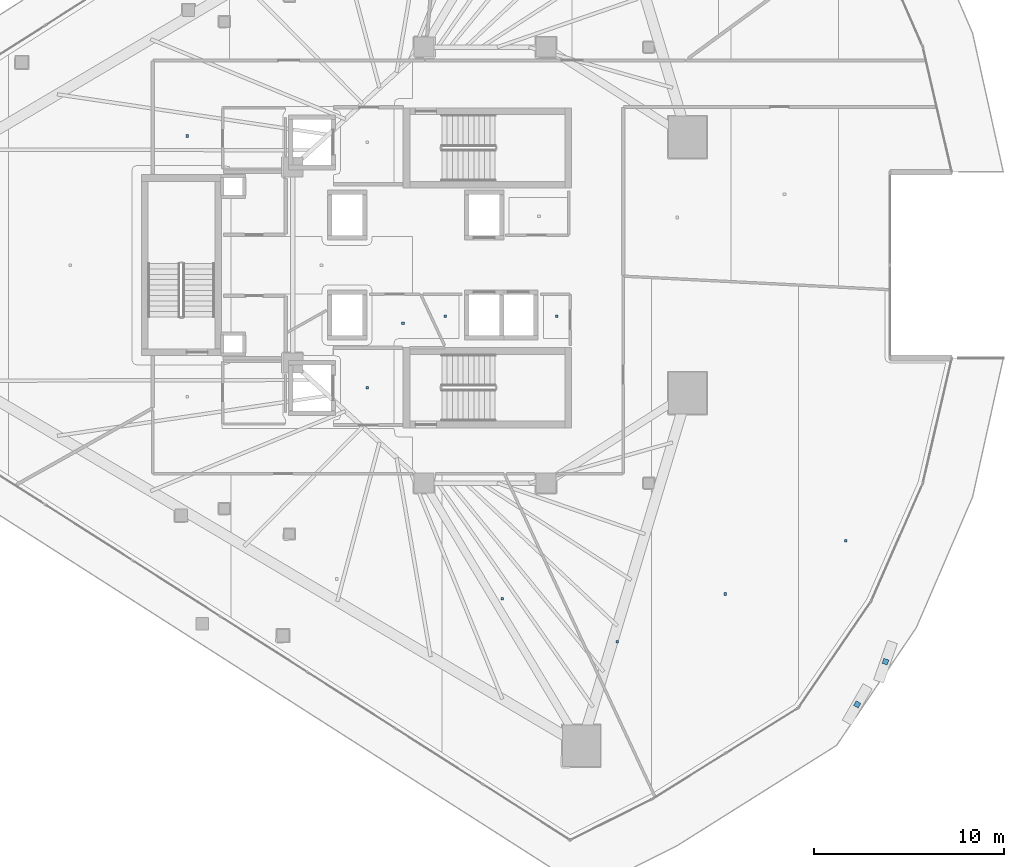
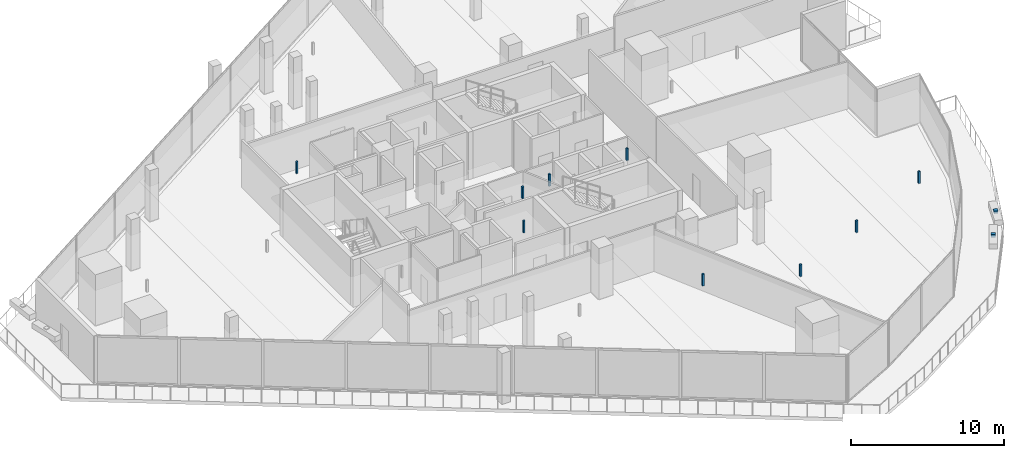
# One storey, part 29 of 38: 11 discrete accessories.
"""IFC4 building model written with IfcOpenShell, lengths in metres."""

from ifc_helpers import new_model, si_unit, direction, frame, origin, origin_2d, place, context, subcontext, project, spatial, rectangle, extrude, material, type_object, element, save


model = new_model("IFC4")

# Units and contexts
model_context = context("Model", 3, precision=1e-05, world=origin(), true_north=direction((0.0, 1.0)))
body_context = subcontext(model_context, "Body", "Model", "MODEL_VIEW")
ifc_project = project(units=[si_unit("LENGTHUNIT", "METRE"), si_unit("AREAUNIT", "SQUARE_METRE"), si_unit("VOLUMEUNIT", "CUBIC_METRE"), si_unit("PLANEANGLEUNIT", "RADIAN"), si_unit("MASSUNIT", "GRAM", prefix="KILO")], contexts=[model_context])

# Site, building, storey
site_placement = place(None, origin())
site = spatial("IfcSite", under=ifc_project, at=site_placement, CompositionType="ELEMENT")
building_placement = place(site_placement, origin())
building = spatial("IfcBuilding", under=site, at=building_placement, Name="Qorvath Tower", CompositionType="ELEMENT")
storey_placement = place(building_placement, frame((0.0, 0.0, 134.10009765625)))
storey = spatial("IfcBuildingStorey", under=building, at=storey_placement, Name="L30", CompositionType="ELEMENT", Elevation=134.10009765625)

# Discrete accessories
ifc_material = material(Name="Galvanised steel bracket", Category="steel")
discrete_accessory_type = type_object("IfcDiscreteAccessoryType", Name="DA-BRACKET", PredefinedType="BRACKET", material=ifc_material)
for number, where, z_axis, x_axis, name in (
    (1, (-0.853515625, -23.0751953125, 3.6396484375), (0.0, 0.0, 1.0), (0.496286205544, 0.868158972877, 0.0), "Louvre Wave Support Bracket L30-03"),
    (2, (0.631591796875, -20.830810546875, 3.6396484375), (0.0, 0.0, 1.0), (0.334140817888, 0.942523163546, 0.0), "Louvre Wave Support Bracket L30-04"),
):
    element("IfcDiscreteAccessory", number, at=place(storey_placement, frame(where, z_axis=z_axis, x_axis=x_axis)), inside=storey, type_object=discrete_accessory_type, Name=name, PredefinedType="NOTDEFINED", context=body_context, shape_type="SweptSolid", body=[
        extrude(rectangle(XDim=0.280029296875, YDim=0.280029296875, at=origin_2d()), origin(), (0.0, 0.0, 1.0), 0.199951171875),
    ])
for number, where, z_axis, x_axis, name in (
    (3, (-26.590087890625, -6.449951171875, 2.85986328125), (0.0, 0.0, 1.0), (1.0, 0.0, 0.0), "Acoustic Ceiling Suspension Hanger T1-L30-002"),
    (4, (-36.040283203125, 6.782470703125, 2.85986328125), (0.0, 0.0, 1.0), (1.0, 0.0, 0.0), "Acoustic Ceiling Suspension Hanger T1-L30-009"),
    (5, (-19.492919921875, -17.533447265625, 2.85986328125), (0.0, 0.0, 1.0), (1.0, 0.0, 0.0), "Acoustic Ceiling Suspension Hanger T1-L30-016"),
    (6, (-24.711669921875, -3.048828125, 2.85986328125), (0.0, 0.0, 1.0), (1.0, 0.0, 0.0), "Acoustic Ceiling Suspension Hanger T1-L30-017"),
    (7, (-13.455078125, -19.778564453125, 2.85986328125), (0.0, 0.0, 1.0), (1.0, 0.0, 0.0), "Acoustic Ceiling Suspension Hanger T1-L30-018"),
    (8, (-7.787841796875, -17.27685546875, 2.85986328125), (0.0, 0.0, 1.0), (1.0, 0.0, 0.0), "Acoustic Ceiling Suspension Hanger T1-L30-019"),
    (9, (-1.4638671875, -14.473388671875, 2.85986328125), (0.0, 0.0, 1.0), (1.0, 0.0, 0.0), "Acoustic Ceiling Suspension Hanger T1-L30-020"),
    (10, (-22.4951171875, -2.691650390625, 2.85986328125), (0.0, 0.0, 1.0), (1.0, 0.0, 0.0), "Acoustic Ceiling Suspension Hanger T1-L30-021"),
    (11, (-16.636474609375, -2.691650390625, 2.85986328125), (0.0, 0.0, 1.0), (1.0, 0.0, 0.0), "Acoustic Ceiling Suspension Hanger T1-L30-022"),
):
    element("IfcDiscreteAccessory", number, at=place(storey_placement, frame(where, z_axis=z_axis, x_axis=x_axis)), inside=storey, type_object=discrete_accessory_type, Name=name, PredefinedType="NOTDEFINED", context=body_context, shape_type="SweptSolid", body=[
        extrude(rectangle(XDim=0.139892578125, YDim=0.139892578125, at=origin_2d()), origin(), (0.0, 0.0, 1.0), 0.949951171875),
    ])

save(model, "model.ifc")
